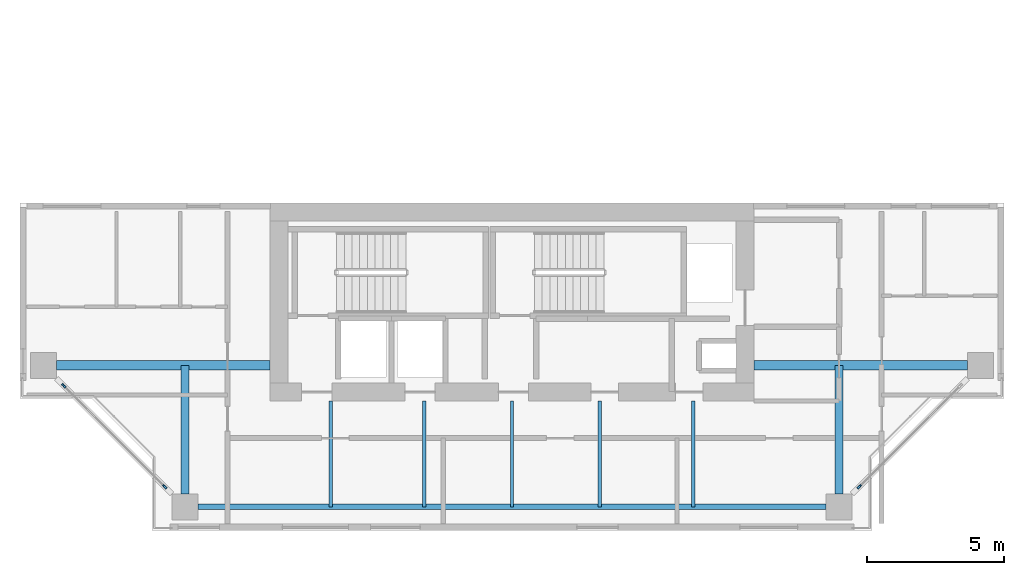
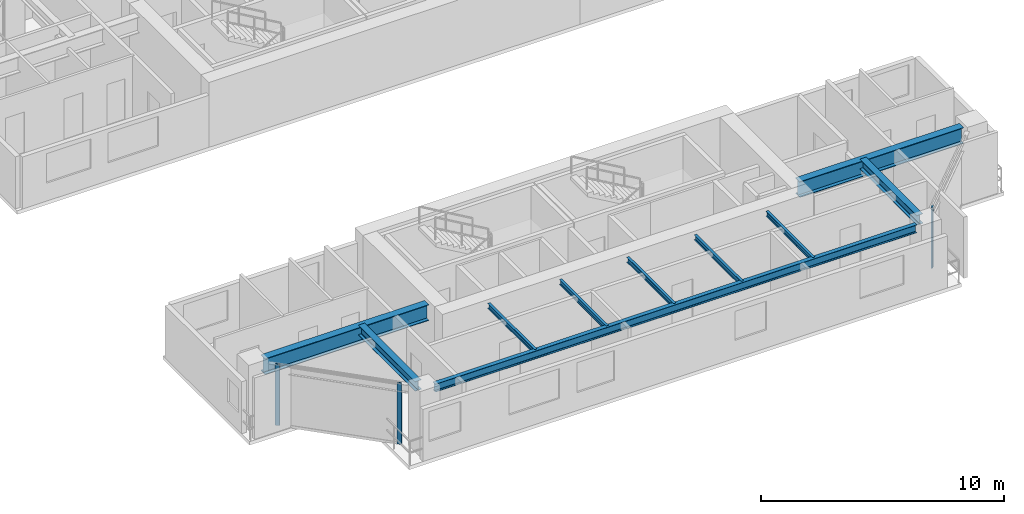
# One storey, part 2 of 12: 10 beams, 3 members, 2 elements without a shape of their own.
"""IFC4 building model written with IfcOpenShell, lengths in metres."""

from ifc_helpers import new_model, si_unit, direction, frame, origin, origin_2d, place, context, subcontext, project, spatial, rectangle, i_section, extrude, source, transform, mapped, material, layer, layer_set, material_profile, profile_set, type_object, element, aggregate, save


model = new_model("IFC4")

# Units and contexts
model_context = context("Model", 3, precision=1e-05, world=origin(), true_north=direction((0.0, 1.0)))
body_context = subcontext(model_context, "Body", "Model", "MODEL_VIEW")
ifc_project = project(units=[si_unit("LENGTHUNIT", "METRE"), si_unit("AREAUNIT", "SQUARE_METRE"), si_unit("VOLUMEUNIT", "CUBIC_METRE"), si_unit("PLANEANGLEUNIT", "RADIAN"), si_unit("MASSUNIT", "GRAM", prefix="KILO"), si_unit("THERMODYNAMICTEMPERATUREUNIT", "KELVIN"), si_unit("POWERUNIT", "WATT")], contexts=[model_context])

# Site, building, storey
site_placement = place(None, origin())
site = spatial("IfcSite", under=ifc_project, at=site_placement, CompositionType="ELEMENT")
building_placement = place(site_placement, origin())
building = spatial("IfcBuilding", under=site, at=building_placement, Name="Qiaomeng Ring Towers", CompositionType="ELEMENT")
storey_placement = place(building_placement, frame((0.0, 0.0, 156.75)))
storey = spatial("IfcBuildingStorey", under=building, at=storey_placement, Name="L45", CompositionType="ELEMENT", Elevation=156.75)

# Beams
ifc_material_1 = material(Name="Steel Q355B", Category="steel")
ifc_material_profile_1 = material_profile(ifc_material_1, i_section(OverallWidth=0.125, OverallDepth=0.25, WebThickness=0.006103515625, FlangeThickness=0.009033203125, FilletRadius=0.011962890625, at=origin_2d()), Name="HN 250x125x6x9")
ifc_profile_set_1 = profile_set([ifc_material_profile_1], Name="Steel Q355B")
beam_type_1 = type_object("IfcBeamType", Name="STR-BM-HN250", PredefinedType="JOIST", material=ifc_profile_set_1)
shared_shape_1 = source(origin(), body_context, "Body", "SweptSolid", [
    extrude(i_section(OverallWidth=0.125, OverallDepth=0.25, WebThickness=0.006103515625, FlangeThickness=0.009033203125, FilletRadius=0.011962890625, at=origin_2d()), origin(), (0.0, 0.0, 1.0), 3.85009765625),
])
for number, where, z_axis, x_axis, name in (
    (1, (12.39990234375, 5.949951171875, 2.945068359375), (0.0, 1.0, 0.0), (-1.0, 0.0, 0.0), "L45 beam STR-JST-L45-T1S-1"),
    (2, (15.800048828125, 5.949951171875, 2.945068359375), (0.0, 1.0, 0.0), (-1.0, 0.0, 0.0), "L45 beam STR-JST-L45-T1S-2"),
    (3, (19.0, 5.949951171875, 2.945068359375), (0.0, 1.0, 0.0), (-1.0, 0.0, 0.0), "L45 beam STR-JST-L45-T1S-3"),
    (4, (22.199951171875, 5.949951171875, 2.945068359375), (0.0, 1.0, 0.0), (-1.0, 0.0, 0.0), "L45 beam STR-JST-L45-T1S-4"),
    (5, (25.60009765625, 5.949951171875, 2.945068359375), (0.0, 1.0, 0.0), (-1.0, 0.0, 0.0), "L45 beam STR-JST-L45-T1S-5"),
):
    element("IfcBeam", number, at=place(storey_placement, frame(where, z_axis=z_axis, x_axis=x_axis)), inside=storey, type_object=beam_type_1, Name=name, PredefinedType="JOIST", context=body_context, shape_type="MappedRepresentation", body=[
        mapped(shared_shape_1, transform((0.0, 0.0, 0.0), x_axis=(1.0, 0.0, 0.0), y_axis=(0.0, 1.0, 0.0), z_axis=(0.0, 0.0, 1.0), scale=1.0)),
    ])
ifc_material_profile_2 = material_profile(ifc_material_1, i_section(OverallWidth=0.199951171875, OverallDepth=0.39990234375, WebThickness=0.008056640625, FlangeThickness=0.012939453125, FilletRadius=0.01611328125, at=origin_2d()), Name="HN 400x200x8x13")
ifc_profile_set_2 = profile_set([ifc_material_profile_2], Name="Steel Q355B")
beam_type_2 = type_object("IfcBeamType", Name="STR-BM-HN400", PredefinedType="SPANDREL", material=ifc_profile_set_2)
shared_shape_2 = source(origin(), body_context, "Body", "SweptSolid", [
    extrude(i_section(OverallWidth=0.199951171875, OverallDepth=0.39990234375, WebThickness=0.008056640625, FlangeThickness=0.012939453125, FilletRadius=0.01611328125, at=origin_2d()), origin(), (0.0, 0.0, 1.0), 22.85205078125),
])
beam_placement = place(storey_placement, frame((7.573974609375, 5.949951171875, 2.8701171875), z_axis=(1.0, 0.0, 0.0), x_axis=(0.0, 1.0, 0.0)))
element("IfcBeam", 6, at=beam_placement, inside=storey, type_object=beam_type_2, Name="L45 beam STR-SP-L45-T1-S1-S2", PredefinedType="SPANDREL", context=body_context, shape_type="MappedRepresentation", body=[
    mapped(shared_shape_2, transform((0.0, 0.0, 0.0), x_axis=(1.0, 0.0, 0.0), y_axis=(0.0, 1.0, 0.0), z_axis=(0.0, 0.0, 1.0), scale=1.0)),
])
ifc_material_2 = material(Name="Steel Q390GJC", Category="steel")
ifc_material_profile_3 = material_profile(ifc_material_2, i_section(OverallWidth=0.35009765625, OverallDepth=0.800048828125, WebThickness=0.01611328125, FlangeThickness=0.028076171875, at=origin_2d()), Name="WH 800x350x16x28")
ifc_profile_set_3 = profile_set([ifc_material_profile_3], Name="Steel Q390GJC")
beam_type_3 = type_object("IfcBeamType", Name="STR-BM-WH800", PredefinedType="BEAM", material=ifc_profile_set_3)
shared_shape_3 = source(origin(), body_context, "Body", "SweptSolid", [
    extrude(i_section(OverallWidth=0.35009765625, OverallDepth=0.800048828125, WebThickness=0.01611328125, FlangeThickness=0.028076171875, at=origin_2d()), origin(), (0.0, 0.0, 1.0), 7.77587890625),
])
for number, where, z_axis, x_axis, name in (
    (7, (2.424072265625, 11.10009765625, 2.669921875), (1.0, 0.0, 0.0), (0.0, 1.0, 0.0), "L45 beam STR-BM-L45-T1-RAD-W1"),
    (8, (27.800048828125, 11.10009765625, 2.669921875), (1.0, 0.0, 0.0), (0.0, 1.0, 0.0), "L45 beam STR-BM-L45-T1-RAD-E1"),
):
    element("IfcBeam", number, at=place(storey_placement, frame(where, z_axis=z_axis, x_axis=x_axis)), inside=storey, type_object=beam_type_3, Name=name, PredefinedType="BEAM", context=body_context, shape_type="MappedRepresentation", body=[
        mapped(shared_shape_3, transform((0.0, 0.0, 0.0), x_axis=(1.0, 0.0, 0.0), y_axis=(0.0, 1.0, 0.0), z_axis=(0.0, 0.0, 1.0), scale=1.0)),
    ])
ifc_material_profile_4 = material_profile(ifc_material_1, i_section(OverallWidth=0.300048828125, OverallDepth=0.488037109375, WebThickness=0.010986328125, FlangeThickness=0.01806640625, FilletRadius=0.02587890625, at=origin_2d()), Name="HM 488x300x11x18")
ifc_profile_set_4 = profile_set([ifc_material_profile_4], Name="Steel Q355B")
beam_type_4 = type_object("IfcBeamType", Name="STR-BM-HM488", PredefinedType="BEAM", material=ifc_profile_set_4)
shared_shape_4 = source(origin(), body_context, "Body", "SweptSolid", [
    extrude(i_section(OverallWidth=0.300048828125, OverallDepth=0.488037109375, WebThickness=0.010986328125, FlangeThickness=0.01806640625, FilletRadius=0.02587890625, at=origin_2d()), origin(), (0.0, 0.0, 1.0), 4.676025390625),
])
for number, where, z_axis, x_axis, name in (
    (9, (7.10009765625, 6.424072265625, 2.825927734375), (0.0, 1.0, 0.0), (-1.0, 0.0, 0.0), "L45 beam STR-BM-L45-T1-RAD-S1"),
    (10, (30.89990234375, 6.424072265625, 2.825927734375), (0.0, 1.0, 0.0), (-1.0, 0.0, 0.0), "L45 beam STR-BM-L45-T1-RAD-S2"),
):
    element("IfcBeam", number, at=place(storey_placement, frame(where, z_axis=z_axis, x_axis=x_axis)), inside=storey, type_object=beam_type_4, Name=name, PredefinedType="BEAM", context=body_context, shape_type="MappedRepresentation", body=[
        mapped(shared_shape_4, transform((0.0, 0.0, 0.0), x_axis=(1.0, 0.0, 0.0), y_axis=(0.0, 1.0, 0.0), z_axis=(0.0, 0.0, 1.0), scale=1.0)),
    ])

# Curtain wall, member
ifc_material_3 = material(Name="Fluorocarbon dark-grey aluminium", Category="aluminium")
ifc_layer = layer(ifc_material_3, 0.14990234375, Name="Fluorocarbon dark-grey aluminium")
ifc_layer_set = layer_set([ifc_layer], Name="Fluorocarbon dark-grey aluminium")
curtain_wall_type = type_object("IfcCurtainWallType", Name="ARC-CW-3", PredefinedType="NOTDEFINED", material=ifc_layer_set)
curtain_wall_1_placement = place(storey_placement, origin())
curtain_wall_1 = element("IfcCurtainWall", 11, at=curtain_wall_1_placement, inside=storey, type_object=curtain_wall_type, Name="L45 Curtain Wall CW3", PredefinedType="NOTDEFINED")
ifc_material_profile_5 = material_profile(ifc_material_3, rectangle(XDim=0.070068359375, YDim=0.179931640625, at=origin_2d()), Name="ALU MULL 70x180")
ifc_profile_set_5 = profile_set([ifc_material_profile_5], Name="Fluorocarbon dark-grey aluminium")
member_type = type_object("IfcMemberType", Name="ARC-CWM-160", PredefinedType="MULLION", material=ifc_profile_set_5)
shared_shape_5 = source(origin(), body_context, "Body", "SweptSolid", [
    extrude(rectangle(XDim=0.070068359375, YDim=0.179931640625, at=origin_2d()), origin(), (0.0, 0.0, 1.0), 3.070068359375),
])
member_1_placement = place(storey_placement, frame((31.6396484375, 6.689697265625, 0.0), z_axis=(0.0, 0.0, 1.0), x_axis=(-0.707106781187, 0.707106781187, 0.0)))
member_1 = element("IfcMember", 12, at=member_1_placement, type_object=member_type, Name="CW3 mullion 1", PredefinedType="MULLION", context=body_context, shape_type="MappedRepresentation", body=[
    mapped(shared_shape_5, transform((0.0, 0.0, 0.0), x_axis=(1.0, 0.0, 0.0), y_axis=(0.0, 1.0, 0.0), z_axis=(0.0, 0.0, 1.0), scale=1.0)),
])
aggregate(curtain_wall_1, [member_1])

# Curtain wall, members
curtain_wall_2_placement = place(storey_placement, origin())
curtain_wall_2 = element("IfcCurtainWall", 13, at=curtain_wall_2_placement, inside=storey, type_object=curtain_wall_type, Name="L45 Curtain Wall CW3", PredefinedType="NOTDEFINED")
member_2_placement = place(storey_placement, frame((2.689697265625, 10.3603515625, 0.0), z_axis=(0.0, 0.0, 1.0), x_axis=(0.707106781187, 0.707106781187, 0.0)))
member_2 = element("IfcMember", 14, at=member_2_placement, type_object=member_type, Name="CW3 mullion 1", PredefinedType="MULLION", context=body_context, shape_type="MappedRepresentation", body=[
    mapped(shared_shape_5, transform((0.0, 0.0, 0.0), x_axis=(1.0, 0.0, 0.0), y_axis=(0.0, 1.0, 0.0), z_axis=(0.0, 0.0, 1.0), scale=1.0)),
])
member_3_placement = place(storey_placement, frame((6.3603515625, 6.689697265625, 0.0), z_axis=(0.0, 0.0, 1.0), x_axis=(0.707106781187, 0.707106781187, 0.0)))
member_3 = element("IfcMember", 15, at=member_3_placement, type_object=member_type, Name="CW3 mullion 2", PredefinedType="MULLION", context=body_context, shape_type="MappedRepresentation", body=[
    mapped(shared_shape_5, transform((0.0, 0.0, 0.0), x_axis=(1.0, 0.0, 0.0), y_axis=(0.0, 1.0, 0.0), z_axis=(0.0, 0.0, 1.0), scale=1.0)),
])
aggregate(curtain_wall_2, [member_2, member_3])

save(model, "model.ifc")
